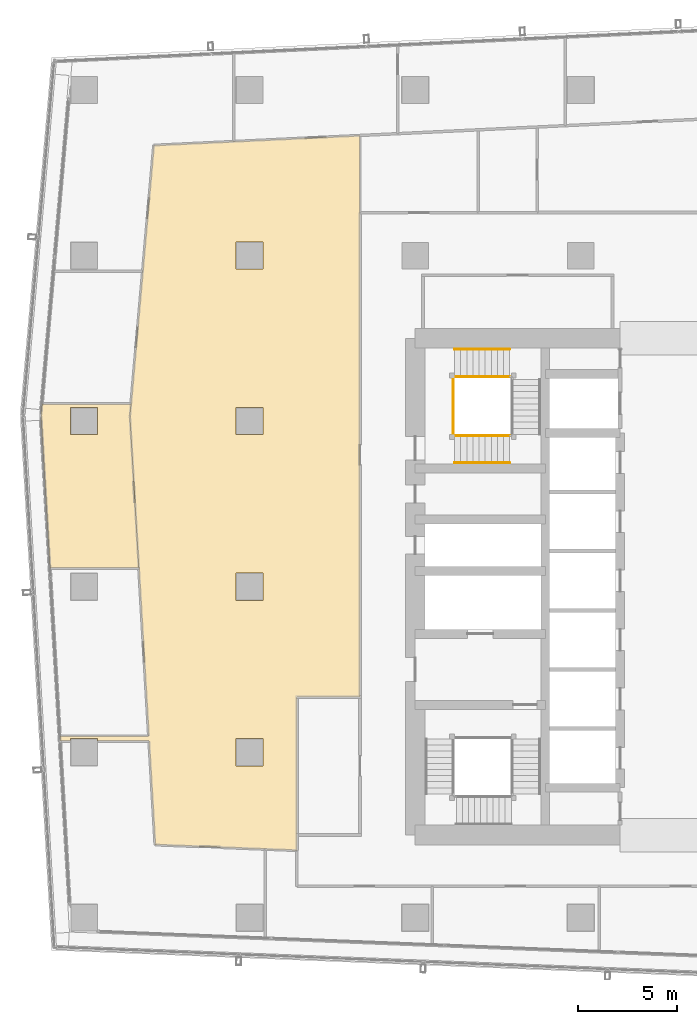
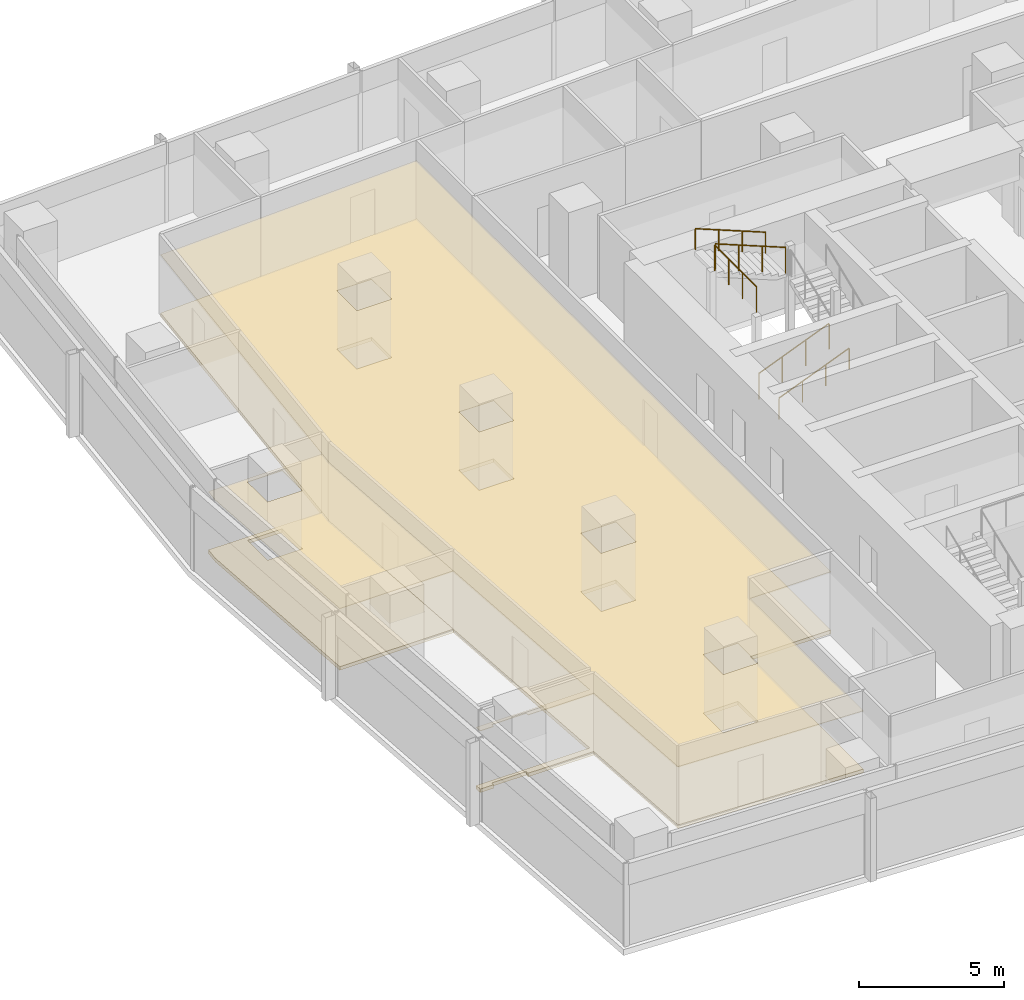
# One storey, part 34 of 39: 5 railings, 4 coverings.
"""IFC4 building model written with IfcOpenShell, lengths in metres."""

import ifcopenshell
import ifcopenshell.guid

model = None  # the IFC model being written
_history = None  # IfcOwnerHistory: only IFC2X3 demands one
_inside = {}  # id of a spatial element -> (the spatial element, [elements in it])
_under = {}  # id of a project, library or spatial element -> (it, [spatial elements below it])
_declared = {}  # id of a project -> (the project, [libraries it declares])
_typed = {}  # id of a type object -> (the type object, [elements of that type])
_made_of = {}  # id of a material, layer set ... -> (it, [elements and type objects made of it])


def new_model(schema):
    """Start an empty IFC model of exactly this schema.

    Asked for "IFC4X3", IfcOpenShell would pick the latest addendum, in which some entities
    have other attributes; the version numbers below select the first issue.
    IFC2X3 requires an IfcOwnerHistory on every rooted entity: one is made here for all.
    """
    global model, _history
    if schema == "IFC4X3":
        model = ifcopenshell.file(schema_version=(4, 3, 0, 0))
    else:
        model = ifcopenshell.file(schema=schema)
    _inside.clear()
    _under.clear()
    _declared.clear()
    _typed.clear()
    _made_of.clear()
    _history = None
    if model.schema == "IFC2X3":
        org = make("IfcOrganization", Name="unknown")
        user = make(
            "IfcPersonAndOrganization",
            ThePerson=make("IfcPerson", FamilyName="unknown"),
            TheOrganization=org,
        )
        app = make(
            "IfcApplication",
            ApplicationDeveloper=org,
            Version="unknown",
            ApplicationFullName="unknown",
            ApplicationIdentifier="unknown",
        )
        _history = make(
            "IfcOwnerHistory",
            OwningUser=user,
            OwningApplication=app,
            ChangeAction="ADDED",
            CreationDate=0,
        )
    return model


def make(cls, **values):
    """One entity of the class cls with the attributes given. An attribute that is None is left unset."""
    return model.create_entity(
        cls, **{name: value for name, value in values.items() if value is not None}
    )


def rooted(cls, **values):
    """An entity with a GlobalId (a new one), such as an element, a storey or a relation."""
    return make(cls, GlobalId=ifcopenshell.guid.new(), OwnerHistory=_history, **values)


def si_unit(unit_type, name, prefix=None):
    """IfcSIUnit, for example si_unit("LENGTHUNIT", "METRE", prefix="MILLI")."""
    return make("IfcSIUnit", UnitType=unit_type, Prefix=prefix, Name=name)


def assignment(units):
    """IfcUnitAssignment: the units of a project."""
    return None if units is None else make("IfcUnitAssignment", Units=units)


def point(xyz):
    """IfcCartesianPoint."""
    return None if xyz is None else make("IfcCartesianPoint", Coordinates=xyz)


def direction(xyz):
    """IfcDirection."""
    return None if xyz is None else make("IfcDirection", DirectionRatios=xyz)


def frame(location, z_axis=None, x_axis=None):
    """IfcAxis2Placement3D, a coordinate frame: its origin and axes. An axis left out is left unset."""
    return make(
        "IfcAxis2Placement3D",
        Location=point(location),
        Axis=direction(z_axis),
        RefDirection=direction(x_axis),
    )


def frame_2d(location, x_axis=None):
    """IfcAxis2Placement2D, a coordinate frame in the plane: its origin and x axis."""
    return make(
        "IfcAxis2Placement2D", Location=point(location), RefDirection=direction(x_axis)
    )


def origin():
    """The frame at (0, 0, 0) with its axes left unset."""
    return frame((0.0, 0.0, 0.0))


def origin_2d():
    """The frame at (0, 0) in the plane with its x axis left unset."""
    return frame_2d((0.0, 0.0))


def place(relative_to, where):
    """IfcLocalPlacement: puts the frame where relative to a parent placement (None: the world)."""
    return make(
        "IfcLocalPlacement", PlacementRelTo=relative_to, RelativePlacement=where
    )


def context(
    kind, dimensions, precision=None, world=None, true_north=None, identifier=None
):
    """IfcGeometricRepresentationContext, for example the 3D "Model" context."""
    return make(
        "IfcGeometricRepresentationContext",
        ContextIdentifier=identifier,
        ContextType=kind,
        CoordinateSpaceDimension=dimensions,
        Precision=precision,
        WorldCoordinateSystem=world,
        TrueNorth=true_north,
    )


def subcontext(parent, identifier, kind, view, scale=None):
    """IfcGeometricRepresentationSubContext, for example "Body" below "Model"."""
    return make(
        "IfcGeometricRepresentationSubContext",
        ContextIdentifier=identifier,
        ContextType=kind,
        ParentContext=parent,
        TargetScale=scale,
        TargetView=view,
    )


def project(units=None, contexts=None):
    """IfcProject with its units and contexts."""
    return rooted(
        "IfcProject",
        Name="project",
        RepresentationContexts=contexts,
        UnitsInContext=assignment(units),
    )


def spatial(cls, under=None, at=None, **own):
    """A site, building, storey or space (cls), placed at a placement, below another one or the project."""
    s = rooted(cls, ObjectPlacement=at, **own)
    if under is not None:
        _under.setdefault(under.id(), (under, []))[1].append(s)
    return s


def polyline(points):
    """IfcPolyline through the points."""
    return make("IfcPolyline", Points=[point(p) for p in points])


def profile(cls, at=None, kind="AREA", **sizes):
    """A parametric profile (cls). Its sizes go by their IFC names, for example OverallWidth=200.0."""
    return make(cls, ProfileType=kind, Position=at, **sizes)


def circle(**sizes):
    """IfcCircleProfileDef."""
    return profile("IfcCircleProfileDef", **sizes)


def outline(outer, holes=None, kind="AREA"):
    """IfcArbitraryClosedProfileDef: a profile drawn as a closed curve; with holes, ...WithVoids."""
    if holes is None:
        return make("IfcArbitraryClosedProfileDef", ProfileType=kind, OuterCurve=outer)
    return make(
        "IfcArbitraryProfileDefWithVoids",
        ProfileType=kind,
        OuterCurve=outer,
        InnerCurves=holes,
    )


def extrude(swept, where, along, depth):
    """IfcExtrudedAreaSolid: the profile swept, set in the frame where, extruded along a direction by depth."""
    return make(
        "IfcExtrudedAreaSolid",
        SweptArea=swept,
        Position=where,
        ExtrudedDirection=direction(along),
        Depth=depth,
    )


def shape(context_of_items, identifier, shape_type, items):
    """IfcShapeRepresentation: the items that make up one representation, for example the "Body"."""
    return make(
        "IfcShapeRepresentation",
        ContextOfItems=context_of_items,
        RepresentationIdentifier=identifier,
        RepresentationType=shape_type,
        Items=items,
    )


def material(Name=None, Category=None):
    """IfcMaterial."""
    return make("IfcMaterial", Name=Name, Category=Category)


def layer(
    of_material, thickness, ventilated=None, Name=None, Category=None, Priority=None
):
    """IfcMaterialLayer: one layer of a wall or slab, of a material (None: an air gap)."""
    return make(
        "IfcMaterialLayer",
        Material=of_material,
        LayerThickness=thickness,
        IsVentilated=ventilated,
        Name=Name,
        Category=Category,
        Priority=Priority,
    )


def layer_set(layers, Name=None):
    """IfcMaterialLayerSet."""
    return make("IfcMaterialLayerSet", MaterialLayers=layers, LayerSetName=Name)


def made_of(thing, what):
    """Note that an element or type object is made of a material, layer set ...; save() writes the relation."""
    if what is not None:
        _made_of.setdefault(what.id(), (what, []))[1].append(thing)
    return thing


def type_object(cls, material=None, **own):
    """A type object (cls), such as IfcWallType, which elements share."""
    return made_of(rooted(cls, **own), material)


def element(
    cls,
    number,
    at=None,
    inside=None,
    cuts=None,
    type_object=None,
    material=None,
    context=None,
    identifier="Body",
    shape_type=None,
    held_by="IfcProductDefinitionShape",
    body=None,
    shapes=None,
    **own,
):
    """One element of the class cls, such as IfcWall. Its Tag is "e" and its number.

    at: its placement. inside: the storey or other place that contains it. cuts: it is an
    opening in that element (IfcRelVoidsElement). A single representation is given by context,
    identifier, shape_type and body (its items); several are given by shapes. held_by: the class
    of the entity that holds the representations. save() writes the other relations.
    """
    e = rooted(cls, Tag="e%d" % number, ObjectPlacement=at, **own)
    if body is not None:
        shapes = [shape(context, identifier, shape_type, body)]
    if shapes is not None:
        e.Representation = make(held_by, Representations=shapes)
    if inside is not None:
        _inside.setdefault(inside.id(), (inside, []))[1].append(e)
    if cuts is not None:
        rooted(
            "IfcRelVoidsElement", RelatingBuildingElement=cuts, RelatedOpeningElement=e
        )
    if type_object is not None:
        _typed.setdefault(type_object.id(), (type_object, []))[1].append(e)
    return made_of(e, material)


def aggregate(whole, parts):
    """IfcRelAggregates: a whole, such as a stair, and the parts it consists of."""
    return rooted("IfcRelAggregates", RelatingObject=whole, RelatedObjects=parts)


def save(model, path):
    """Write the relations noted so far, then the file.

    IfcRelAggregates (storeys below a building ...), IfcRelContainedInSpatialStructure (elements
    in a storey), IfcRelDefinesByType, IfcRelAssociatesMaterial and IfcRelDeclares: one each for
    every whole, place, type object, material and project.
    """
    for whole, parts in _under.values():
        aggregate(whole, parts)
    for where, things in _inside.values():
        rooted(
            "IfcRelContainedInSpatialStructure",
            RelatedElements=things,
            RelatingStructure=where,
        )
    for kind, things in _typed.values():
        rooted("IfcRelDefinesByType", RelatedObjects=things, RelatingType=kind)
    for what, things in _made_of.values():
        rooted("IfcRelAssociatesMaterial", RelatedObjects=things, RelatingMaterial=what)
    for by, libraries in _declared.values():
        rooted("IfcRelDeclares", RelatingContext=by, RelatedDefinitions=libraries)
    model.write(path)


model = new_model("IFC4")

# Units and contexts
model_context = context("Model", 3, precision=1e-05, world=origin(), true_north=direction((0.0, 1.0)))
body_context = subcontext(model_context, "Body", "Model", "MODEL_VIEW")
ifc_project = project(units=[si_unit("LENGTHUNIT", "METRE"), si_unit("AREAUNIT", "SQUARE_METRE"), si_unit("VOLUMEUNIT", "CUBIC_METRE"), si_unit("PLANEANGLEUNIT", "RADIAN"), si_unit("MASSUNIT", "GRAM", prefix="KILO")], contexts=[model_context])

# Site, building, storey
site_placement = place(None, origin())
site = spatial("IfcSite", under=ifc_project, at=site_placement, CompositionType="ELEMENT")
building_placement = place(site_placement, origin())
building = spatial("IfcBuilding", under=site, at=building_placement, Name="Rekha Terrace Tower", CompositionType="ELEMENT")
storey_placement = place(building_placement, frame((0.0, 0.0, 187.699951171875)))
storey = spatial("IfcBuildingStorey", under=building, at=storey_placement, Name="L47", CompositionType="ELEMENT", Elevation=187.699951171875)

# Coverings
ifc_material_1 = material(Name="Mineral fibre tile in exposed grid", Category="finish")
ifc_layer_1 = layer(ifc_material_1, 0.02001953125)
ifc_layer_set_1 = layer_set([ifc_layer_1], Name="Mineral fibre tile in exposed grid")
covering_type_1 = type_object("IfcCoveringType", Name="CL1 600x1200 office grid ceiling", PredefinedType="CEILING", material=ifc_layer_set_1)
covering_1_placement = place(storey_placement, frame((0.0, 0.0, 2.580078125)))
element("IfcCovering", 1, at=covering_1_placement, inside=storey, type_object=covering_type_1, Name="Ceiling L47-20", PredefinedType="CEILING", context=body_context, shape_type="SweptSolid", body=[
    extrude(outline(polyline([(6.212890625, 42.31396484375), (6.6708984375, 34.537109375), (11.178955078125, 34.537109375), (10.72509765625, 42.248046875), (10.780029296875, 42.8701171875), (6.261962890625, 42.8701171875), (6.212890625, 42.31396484375)]), holes=[polyline([(9.090087890625, 41.31005859375), (7.7099609375, 41.31005859375), (7.7099609375, 42.68994140625), (9.090087890625, 42.68994140625), (9.090087890625, 41.31005859375)])]), origin(), (0.0, 0.0, 1.0), 0.02001953125),
])
covering_2_placement = place(storey_placement, frame((0.0, 0.0, 2.580078125)))
element("IfcCovering", 2, at=covering_2_placement, inside=storey, type_object=covering_type_1, Name="Ceiling L47-O2b", PredefinedType="CEILING", context=body_context, shape_type="SweptSolid", body=[
    extrude(outline(polyline([(11.3740234375, 49.60107421875), (10.780029296875, 42.8701171875), (10.72509765625, 42.248046875), (11.179931640625, 34.52099609375), (11.679931640625, 26.02392578125), (7.172119140625, 26.02392578125), (7.18701171875, 25.76708984375), (7.7099609375, 25.76708984375), (7.7099609375, 25.889892578125), (9.090087890625, 25.889892578125), (9.090087890625, 25.76708984375), (11.695068359375, 25.76708984375), (12.0048828125, 20.5048828125), (17.5859375, 20.281982421875), (19.199951171875, 20.218017578125), (19.199951171875, 28.0), (22.39990234375, 28.0), (22.39990234375, 56.492919921875), (15.97412109375, 56.18505859375), (11.93798828125, 55.992919921875), (11.3740234375, 49.60107421875)]), holes=[polyline([(17.489990234375, 24.510009765625), (16.110107421875, 24.510009765625), (16.110107421875, 25.889892578125), (17.489990234375, 25.889892578125), (17.489990234375, 24.510009765625)]), polyline([(17.489990234375, 32.909912109375), (16.110107421875, 32.909912109375), (16.110107421875, 34.2900390625), (17.489990234375, 34.2900390625), (17.489990234375, 32.909912109375)]), polyline([(17.489990234375, 42.68994140625), (17.489990234375, 41.31005859375), (16.110107421875, 41.31005859375), (16.110107421875, 42.68994140625), (17.489990234375, 42.68994140625)]), polyline([(17.489990234375, 51.090087890625), (17.489990234375, 49.7099609375), (16.110107421875, 49.7099609375), (16.110107421875, 51.090087890625), (17.489990234375, 51.090087890625)])]), origin(), (0.0, 0.0, 1.0), 0.02001953125),
])

# Railings
ifc_material_2 = material(Name="Stainless steel balustrade", Category="steel")
railing_type_1 = type_object("IfcRailingType", Name="GR1 1100 stair guard", PredefinedType="GUARDRAIL", material=ifc_material_2)
railing_1_placement = place(storey_placement, frame((27.199951171875, 41.264892578125, 0.125)))
element("IfcRailing", 3, at=railing_1_placement, inside=storey, type_object=railing_type_1, Name="Guard ST4 L47 flight 1", PredefinedType="GUARDRAIL", context=body_context, shape_type="SweptSolid", body=[
    extrude(circle(Radius=0.02392578125, at=origin_2d()), frame((0.0, 0.0, 1.076171875), z_axis=(0.927443287984, 0.0, 0.373963831907), x_axis=(0.0, 1.0, 0.0)), (0.0, 0.0, 1.0), 3.00830078125),
    extrude(circle(Radius=0.02099609375, at=origin_2d()), origin(), (0.0, 0.0, 1.0), 1.052001953125),
    extrude(circle(Radius=0.02099609375, at=origin_2d()), frame((0.929931640625, 0.0, 0.375)), (0.0, 0.0, 1.0), 1.052001953125),
    extrude(circle(Radius=0.02099609375, at=origin_2d()), frame((1.860107421875, 0.0, 0.75)), (0.0, 0.0, 1.0), 1.052001953125),
    extrude(circle(Radius=0.02099609375, at=origin_2d()), frame((2.7900390625, 0.0, 1.125)), (0.0, 0.0, 1.0), 1.052001953125),
])
railing_2_placement = place(storey_placement, frame((29.989990234375, 44.260009765625, 2.625)))
element("IfcRailing", 4, at=railing_2_placement, inside=storey, type_object=railing_type_1, Name="Guard ST4 L47 flight 3", PredefinedType="GUARDRAIL", context=body_context, shape_type="SweptSolid", body=[
    extrude(circle(Radius=0.02392578125, at=origin_2d()), frame((0.0, 0.0, 1.076171875), z_axis=(-0.927443287984, 0.0, 0.373963831907), x_axis=(0.0, -1.0, 0.0)), (0.0, 0.0, 1.0), 3.00830078125),
    extrude(circle(Radius=0.02099609375, at=origin_2d()), origin(), (0.0, 0.0, 1.0), 1.052001953125),
    extrude(circle(Radius=0.02099609375, at=origin_2d()), frame((-0.929931640625, 0.0, 0.375)), (0.0, 0.0, 1.0), 1.052001953125),
    extrude(circle(Radius=0.02099609375, at=origin_2d()), frame((-1.860107421875, 0.0, 0.75)), (0.0, 0.0, 1.0), 1.052001953125),
    extrude(circle(Radius=0.02099609375, at=origin_2d()), frame((-2.7900390625, 0.0, 1.125)), (0.0, 0.0, 1.0), 1.052001953125),
])
railing_3_placement = place(storey_placement, frame((27.139892578125, 41.324951171875, 3.75)))
element("IfcRailing", 5, at=railing_3_placement, inside=storey, type_object=railing_type_1, Name="Guard ST4 L47 landing 4", PredefinedType="GUARDRAIL", context=body_context, shape_type="SweptSolid", body=[
    extrude(circle(Radius=0.02392578125, at=origin_2d()), frame((0.0, 0.0, 1.076171875), z_axis=(0.0, 1.0, 0.0), x_axis=(-1.0, 0.0, 0.0)), (0.0, 0.0, 1.0), 2.875),
    extrude(circle(Radius=0.02099609375, at=origin_2d()), origin(), (0.0, 0.0, 1.0), 1.052001953125),
    extrude(circle(Radius=0.02099609375, at=origin_2d()), frame((0.0, 0.958251953125, 0.0)), (0.0, 0.0, 1.0), 1.052001953125),
    extrude(circle(Radius=0.02099609375, at=origin_2d()), frame((0.0, 1.916748046875, 0.0)), (0.0, 0.0, 1.0), 1.052001953125),
    extrude(circle(Radius=0.02099609375, at=origin_2d()), frame((0.0, 2.875, 0.0)), (0.0, 0.0, 1.0), 1.052001953125),
])
ifc_material_3 = material(Name="Stainless steel tube", Category="steel")
railing_type_2 = type_object("IfcRailingType", Name="HR1 900 stair handrail", PredefinedType="HANDRAIL", material=ifc_material_3)
railing_4_placement = place(storey_placement, frame((27.199951171875, 39.885009765625, 0.125)))
element("IfcRailing", 6, at=railing_4_placement, inside=storey, type_object=railing_type_2, Name="Handrail ST4 L47 flight 1", PredefinedType="HANDRAIL", context=body_context, shape_type="SweptSolid", body=[
    extrude(circle(Radius=0.02392578125, at=origin_2d()), frame((0.0, 0.0, 0.8759765625), z_axis=(0.927443287984, 0.0, 0.373963831907), x_axis=(0.0, 1.0, 0.0)), (0.0, 0.0, 1.0), 3.00830078125),
    extrude(circle(Radius=0.02099609375, at=origin_2d()), origin(), (0.0, 0.0, 1.0), 0.851806640625),
    extrude(circle(Radius=0.02099609375, at=origin_2d()), frame((0.929931640625, 0.0, 0.375)), (0.0, 0.0, 1.0), 0.851806640625),
    extrude(circle(Radius=0.02099609375, at=origin_2d()), frame((1.860107421875, 0.0, 0.75)), (0.0, 0.0, 1.0), 0.851806640625),
    extrude(circle(Radius=0.02099609375, at=origin_2d()), frame((2.7900390625, 0.0, 1.125)), (0.0, 0.0, 1.0), 0.851806640625),
])
railing_5_placement = place(storey_placement, frame((29.989990234375, 45.639892578125, 2.625)))
element("IfcRailing", 7, at=railing_5_placement, inside=storey, type_object=railing_type_2, Name="Handrail ST4 L47 flight 3", PredefinedType="HANDRAIL", context=body_context, shape_type="SweptSolid", body=[
    extrude(circle(Radius=0.02392578125, at=origin_2d()), frame((0.0, 0.0, 0.8759765625), z_axis=(-0.927443287984, 0.0, 0.373963831907), x_axis=(0.0, -1.0, 0.0)), (0.0, 0.0, 1.0), 3.00830078125),
    extrude(circle(Radius=0.02099609375, at=origin_2d()), origin(), (0.0, 0.0, 1.0), 0.851806640625),
    extrude(circle(Radius=0.02099609375, at=origin_2d()), frame((-0.929931640625, 0.0, 0.375)), (0.0, 0.0, 1.0), 0.851806640625),
    extrude(circle(Radius=0.02099609375, at=origin_2d()), frame((-1.860107421875, 0.0, 0.75)), (0.0, 0.0, 1.0), 0.851806640625),
    extrude(circle(Radius=0.02099609375, at=origin_2d()), frame((-2.7900390625, 0.0, 1.125)), (0.0, 0.0, 1.0), 0.851806640625),
])

# Coverings
ifc_material_4 = material(Name="Calcium sulphate panels on steel pedestals", Category="steel")
ifc_layer_2 = layer(ifc_material_4, 0.14990234375)
ifc_layer_set_2 = layer_set([ifc_layer_2], Name="Calcium sulphate panels on steel pedestals")
covering_type_2 = type_object("IfcCoveringType", Name="RF1 150 raised access floor", PredefinedType="FLOORING", material=ifc_layer_set_2)
covering_3_placement = place(storey_placement, origin())
element("IfcCovering", 8, at=covering_3_placement, inside=storey, type_object=covering_type_2, Name="Raised floor L47-20", PredefinedType="FLOORING", context=body_context, shape_type="SweptSolid", body=[
    extrude(outline(polyline([(6.212890625, 42.31396484375), (6.6708984375, 34.537109375), (11.178955078125, 34.537109375), (10.72509765625, 42.248046875), (10.780029296875, 42.8701171875), (6.261962890625, 42.8701171875), (6.212890625, 42.31396484375)]), holes=[polyline([(9.090087890625, 41.31005859375), (7.7099609375, 41.31005859375), (7.7099609375, 42.68994140625), (9.090087890625, 42.68994140625), (9.090087890625, 41.31005859375)])]), origin(), (0.0, 0.0, 1.0), 0.150146484375),
])
covering_4_placement = place(storey_placement, origin())
element("IfcCovering", 9, at=covering_4_placement, inside=storey, type_object=covering_type_2, Name="Raised floor L47-O2b", PredefinedType="FLOORING", context=body_context, shape_type="SweptSolid", body=[
    extrude(outline(polyline([(11.3740234375, 49.60107421875), (10.780029296875, 42.8701171875), (10.72509765625, 42.248046875), (11.179931640625, 34.52099609375), (11.679931640625, 26.02392578125), (7.172119140625, 26.02392578125), (7.18701171875, 25.76708984375), (7.7099609375, 25.76708984375), (7.7099609375, 25.889892578125), (9.090087890625, 25.889892578125), (9.090087890625, 25.76708984375), (11.695068359375, 25.76708984375), (12.0048828125, 20.5048828125), (17.5859375, 20.281982421875), (19.199951171875, 20.218017578125), (19.199951171875, 28.0), (22.39990234375, 28.0), (22.39990234375, 56.492919921875), (15.97412109375, 56.18505859375), (11.93798828125, 55.992919921875), (11.3740234375, 49.60107421875)]), holes=[polyline([(17.489990234375, 24.510009765625), (16.110107421875, 24.510009765625), (16.110107421875, 25.889892578125), (17.489990234375, 25.889892578125), (17.489990234375, 24.510009765625)]), polyline([(17.489990234375, 32.909912109375), (16.110107421875, 32.909912109375), (16.110107421875, 34.2900390625), (17.489990234375, 34.2900390625), (17.489990234375, 32.909912109375)]), polyline([(17.489990234375, 42.68994140625), (17.489990234375, 41.31005859375), (16.110107421875, 41.31005859375), (16.110107421875, 42.68994140625), (17.489990234375, 42.68994140625)]), polyline([(17.489990234375, 51.090087890625), (17.489990234375, 49.7099609375), (16.110107421875, 49.7099609375), (16.110107421875, 51.090087890625), (17.489990234375, 51.090087890625)])]), origin(), (0.0, 0.0, 1.0), 0.150146484375),
])

save(model, "model.ifc")
